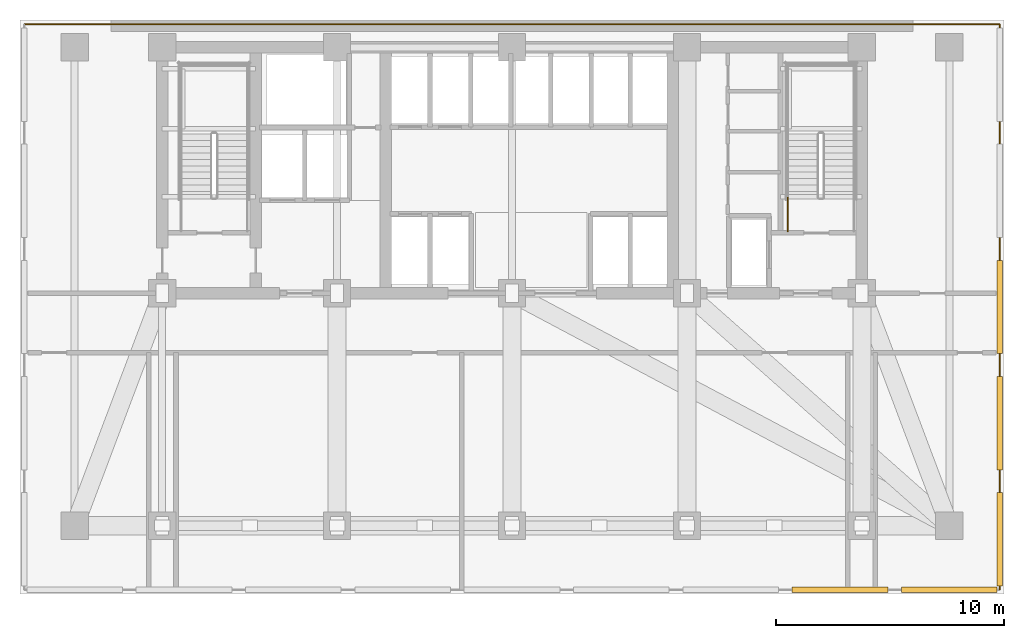
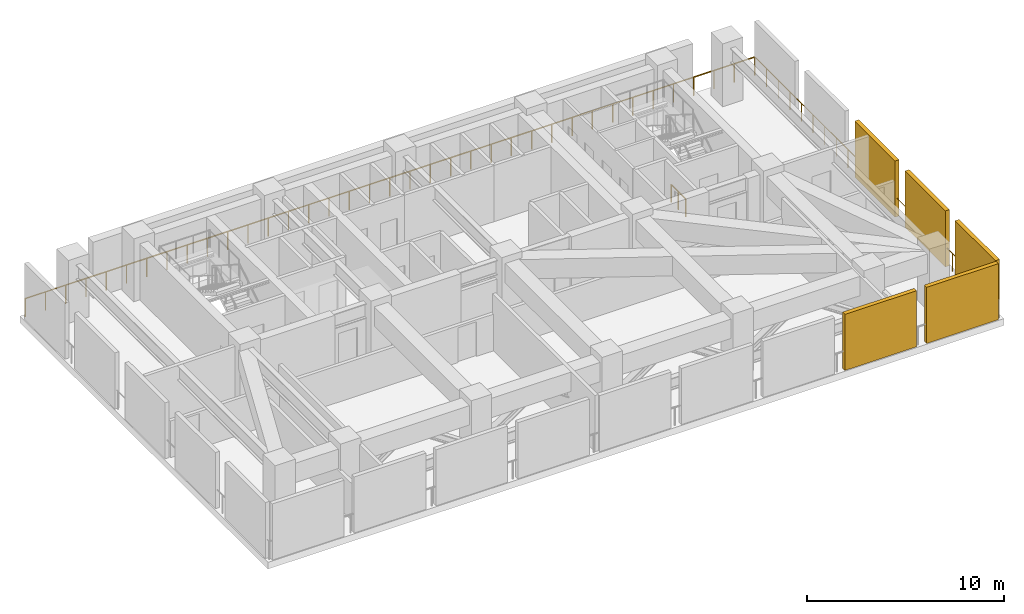
# One storey, part 6 of 7: 5 shading devices, 3 railings.
"""IFC4 building model written with IfcOpenShell, lengths in metres."""

from ifc_helpers import new_model, si_unit, direction, frame, origin, origin_2d, place, context, subcontext, project, spatial, rectangle, circle, extrude, material, layer, layer_set, type_object, element, save


model = new_model("IFC4")

# Units and contexts
model_context = context("Model", 3, precision=1e-05, world=origin(), true_north=direction((0.0, 1.0)))
body_context = subcontext(model_context, "Body", "Model", "MODEL_VIEW")
ifc_project = project(units=[si_unit("LENGTHUNIT", "METRE"), si_unit("AREAUNIT", "SQUARE_METRE"), si_unit("VOLUMEUNIT", "CUBIC_METRE"), si_unit("PLANEANGLEUNIT", "RADIAN"), si_unit("MASSUNIT", "GRAM", prefix="KILO")], contexts=[model_context])

# Site, building, storey
site_placement = place(None, origin())
site = spatial("IfcSite", under=ifc_project, at=site_placement, CompositionType="ELEMENT")
building_placement = place(site_placement, origin())
building = spatial("IfcBuilding", under=site, at=building_placement, Name="Yelkora Congress Tower", CompositionType="ELEMENT")
storey_placement = place(building_placement, frame((0.0, 0.0, 85.800048828125)))
storey = spatial("IfcBuildingStorey", under=building, at=storey_placement, Name="L22", CompositionType="ELEMENT", Elevation=85.800048828125)

# Railings
ifc_material_1 = material(Name="Stainless steel 316L and laminated glass infill", Category="steel")
ifc_layer_1 = layer(ifc_material_1, 0.080078125)
ifc_layer_set_1 = layer_set([ifc_layer_1], Name="Stainless steel 316L and laminated glass infill")
railing_type_1 = type_object("IfcRailingType", Name="RAIL-EXT-GUARD-1150", PredefinedType="GUARDRAIL", material=ifc_layer_set_1)
railing_1_placement = place(storey_placement, frame((59.820068359375, 22.39990234375, 0.0)))
element("IfcRailing", 1, at=railing_1_placement, inside=storey, type_object=railing_type_1, Name="L22 Wind-Floor Perimeter Guardrail E", PredefinedType="GUARDRAIL", context=body_context, shape_type="SweptSolid", body=[
    extrude(circle(Radius=0.02392578125, at=origin_2d()), frame((0.0, 0.0, 1.1259765625), z_axis=(0.0, 1.0, 0.0), x_axis=(-1.0, 0.0, 0.0)), (0.0, 0.0, 1.0), 24.800048828125),
    extrude(circle(Radius=0.02099609375, at=origin_2d()), origin(), (0.0, 0.0, 1.0), 1.101806640625),
    extrude(circle(Radius=0.02099609375, at=origin_2d()), frame((0.0, 1.180908203125, 0.0)), (0.0, 0.0, 1.0), 1.101806640625),
    extrude(circle(Radius=0.02099609375, at=origin_2d()), frame((0.0, 2.36181640625, 0.0)), (0.0, 0.0, 1.0), 1.101806640625),
    extrude(circle(Radius=0.02099609375, at=origin_2d()), frame((0.0, 3.54296875, 0.0)), (0.0, 0.0, 1.0), 1.101806640625),
    extrude(circle(Radius=0.02099609375, at=origin_2d()), frame((0.0, 4.723876953125, 0.0)), (0.0, 0.0, 1.0), 1.101806640625),
    extrude(circle(Radius=0.02099609375, at=origin_2d()), frame((0.0, 5.90478515625, 0.0)), (0.0, 0.0, 1.0), 1.101806640625),
    extrude(circle(Radius=0.02099609375, at=origin_2d()), frame((0.0, 7.085693359375, 0.0)), (0.0, 0.0, 1.0), 1.101806640625),
    extrude(circle(Radius=0.02099609375, at=origin_2d()), frame((0.0, 8.2666015625, 0.0)), (0.0, 0.0, 1.0), 1.101806640625),
    extrude(circle(Radius=0.02099609375, at=origin_2d()), frame((0.0, 9.44775390625, 0.0)), (0.0, 0.0, 1.0), 1.101806640625),
    extrude(circle(Radius=0.02099609375, at=origin_2d()), frame((0.0, 10.628662109375, 0.0)), (0.0, 0.0, 1.0), 1.101806640625),
    extrude(circle(Radius=0.02099609375, at=origin_2d()), frame((0.0, 11.8095703125, 0.0)), (0.0, 0.0, 1.0), 1.101806640625),
    extrude(circle(Radius=0.02099609375, at=origin_2d()), frame((0.0, 12.990478515625, 0.0)), (0.0, 0.0, 1.0), 1.101806640625),
    extrude(circle(Radius=0.02099609375, at=origin_2d()), frame((0.0, 14.17138671875, 0.0)), (0.0, 0.0, 1.0), 1.101806640625),
    extrude(circle(Radius=0.02099609375, at=origin_2d()), frame((0.0, 15.352294921875, 0.0)), (0.0, 0.0, 1.0), 1.101806640625),
    extrude(circle(Radius=0.02099609375, at=origin_2d()), frame((0.0, 16.533447265625, 0.0)), (0.0, 0.0, 1.0), 1.101806640625),
    extrude(circle(Radius=0.02099609375, at=origin_2d()), frame((0.0, 17.71435546875, 0.0)), (0.0, 0.0, 1.0), 1.101806640625),
    extrude(circle(Radius=0.02099609375, at=origin_2d()), frame((0.0, 18.895263671875, 0.0)), (0.0, 0.0, 1.0), 1.101806640625),
    extrude(circle(Radius=0.02099609375, at=origin_2d()), frame((0.0, 20.076171875, 0.0)), (0.0, 0.0, 1.0), 1.101806640625),
    extrude(circle(Radius=0.02099609375, at=origin_2d()), frame((0.0, 21.257080078125, 0.0)), (0.0, 0.0, 1.0), 1.101806640625),
    extrude(circle(Radius=0.02099609375, at=origin_2d()), frame((0.0, 22.438232421875, 0.0)), (0.0, 0.0, 1.0), 1.101806640625),
    extrude(circle(Radius=0.02099609375, at=origin_2d()), frame((0.0, 23.619140625, 0.0)), (0.0, 0.0, 1.0), 1.101806640625),
    extrude(circle(Radius=0.02099609375, at=origin_2d()), frame((0.0, 24.800048828125, 0.0)), (0.0, 0.0, 1.0), 1.101806640625),
])
railing_2_placement = place(storey_placement, frame((17.0, 47.219970703125, 0.0)))
element("IfcRailing", 2, at=railing_2_placement, inside=storey, type_object=railing_type_1, Name="L22 North Perimeter Guardrail", PredefinedType="GUARDRAIL", context=body_context, shape_type="SweptSolid", body=[
    extrude(circle(Radius=0.02392578125, at=origin_2d()), frame((0.0, 0.0, 1.1259765625), z_axis=(1.0, 0.0, 0.0), x_axis=(0.0, 1.0, 0.0)), (0.0, 0.0, 1.0), 42.800048828125),
    extrude(circle(Radius=0.02099609375, at=origin_2d()), origin(), (0.0, 0.0, 1.0), 1.101806640625),
    extrude(circle(Radius=0.02099609375, at=origin_2d()), frame((1.18896484375, 0.0, 0.0)), (0.0, 0.0, 1.0), 1.101806640625),
    extrude(circle(Radius=0.02099609375, at=origin_2d()), frame((2.377685546875, 0.0, 0.0)), (0.0, 0.0, 1.0), 1.101806640625),
    extrude(circle(Radius=0.02099609375, at=origin_2d()), frame((3.566650390625, 0.0, 0.0)), (0.0, 0.0, 1.0), 1.101806640625),
    extrude(circle(Radius=0.02099609375, at=origin_2d()), frame((4.755615234375, 0.0, 0.0)), (0.0, 0.0, 1.0), 1.101806640625),
    extrude(circle(Radius=0.02099609375, at=origin_2d()), frame((5.9443359375, 0.0, 0.0)), (0.0, 0.0, 1.0), 1.101806640625),
    extrude(circle(Radius=0.02099609375, at=origin_2d()), frame((7.13330078125, 0.0, 0.0)), (0.0, 0.0, 1.0), 1.101806640625),
    extrude(circle(Radius=0.02099609375, at=origin_2d()), frame((8.322265625, 0.0, 0.0)), (0.0, 0.0, 1.0), 1.101806640625),
    extrude(circle(Radius=0.02099609375, at=origin_2d()), frame((9.51123046875, 0.0, 0.0)), (0.0, 0.0, 1.0), 1.101806640625),
    extrude(circle(Radius=0.02099609375, at=origin_2d()), frame((10.699951171875, 0.0, 0.0)), (0.0, 0.0, 1.0), 1.101806640625),
    extrude(circle(Radius=0.02099609375, at=origin_2d()), frame((11.888916015625, 0.0, 0.0)), (0.0, 0.0, 1.0), 1.101806640625),
    extrude(circle(Radius=0.02099609375, at=origin_2d()), frame((13.077880859375, 0.0, 0.0)), (0.0, 0.0, 1.0), 1.101806640625),
    extrude(circle(Radius=0.02099609375, at=origin_2d()), frame((14.2666015625, 0.0, 0.0)), (0.0, 0.0, 1.0), 1.101806640625),
    extrude(circle(Radius=0.02099609375, at=origin_2d()), frame((15.45556640625, 0.0, 0.0)), (0.0, 0.0, 1.0), 1.101806640625),
    extrude(circle(Radius=0.02099609375, at=origin_2d()), frame((16.64453125, 0.0, 0.0)), (0.0, 0.0, 1.0), 1.101806640625),
    extrude(circle(Radius=0.02099609375, at=origin_2d()), frame((17.833251953125, 0.0, 0.0)), (0.0, 0.0, 1.0), 1.101806640625),
    extrude(circle(Radius=0.02099609375, at=origin_2d()), frame((19.022216796875, 0.0, 0.0)), (0.0, 0.0, 1.0), 1.101806640625),
    extrude(circle(Radius=0.02099609375, at=origin_2d()), frame((20.211181640625, 0.0, 0.0)), (0.0, 0.0, 1.0), 1.101806640625),
    extrude(circle(Radius=0.02099609375, at=origin_2d()), frame((21.39990234375, 0.0, 0.0)), (0.0, 0.0, 1.0), 1.101806640625),
    extrude(circle(Radius=0.02099609375, at=origin_2d()), frame((22.5888671875, 0.0, 0.0)), (0.0, 0.0, 1.0), 1.101806640625),
    extrude(circle(Radius=0.02099609375, at=origin_2d()), frame((23.77783203125, 0.0, 0.0)), (0.0, 0.0, 1.0), 1.101806640625),
    extrude(circle(Radius=0.02099609375, at=origin_2d()), frame((24.966796875, 0.0, 0.0)), (0.0, 0.0, 1.0), 1.101806640625),
    extrude(circle(Radius=0.02099609375, at=origin_2d()), frame((26.155517578125, 0.0, 0.0)), (0.0, 0.0, 1.0), 1.101806640625),
    extrude(circle(Radius=0.02099609375, at=origin_2d()), frame((27.344482421875, 0.0, 0.0)), (0.0, 0.0, 1.0), 1.101806640625),
    extrude(circle(Radius=0.02099609375, at=origin_2d()), frame((28.533447265625, 0.0, 0.0)), (0.0, 0.0, 1.0), 1.101806640625),
    extrude(circle(Radius=0.02099609375, at=origin_2d()), frame((29.72216796875, 0.0, 0.0)), (0.0, 0.0, 1.0), 1.101806640625),
    extrude(circle(Radius=0.02099609375, at=origin_2d()), frame((30.9111328125, 0.0, 0.0)), (0.0, 0.0, 1.0), 1.101806640625),
    extrude(circle(Radius=0.02099609375, at=origin_2d()), frame((32.10009765625, 0.0, 0.0)), (0.0, 0.0, 1.0), 1.101806640625),
    extrude(circle(Radius=0.02099609375, at=origin_2d()), frame((33.288818359375, 0.0, 0.0)), (0.0, 0.0, 1.0), 1.101806640625),
    extrude(circle(Radius=0.02099609375, at=origin_2d()), frame((34.477783203125, 0.0, 0.0)), (0.0, 0.0, 1.0), 1.101806640625),
    extrude(circle(Radius=0.02099609375, at=origin_2d()), frame((35.666748046875, 0.0, 0.0)), (0.0, 0.0, 1.0), 1.101806640625),
    extrude(circle(Radius=0.02099609375, at=origin_2d()), frame((36.855712890625, 0.0, 0.0)), (0.0, 0.0, 1.0), 1.101806640625),
    extrude(circle(Radius=0.02099609375, at=origin_2d()), frame((38.04443359375, 0.0, 0.0)), (0.0, 0.0, 1.0), 1.101806640625),
    extrude(circle(Radius=0.02099609375, at=origin_2d()), frame((39.2333984375, 0.0, 0.0)), (0.0, 0.0, 1.0), 1.101806640625),
    extrude(circle(Radius=0.02099609375, at=origin_2d()), frame((40.42236328125, 0.0, 0.0)), (0.0, 0.0, 1.0), 1.101806640625),
    extrude(circle(Radius=0.02099609375, at=origin_2d()), frame((41.611083984375, 0.0, 0.0)), (0.0, 0.0, 1.0), 1.101806640625),
    extrude(circle(Radius=0.02099609375, at=origin_2d()), frame((42.800048828125, 0.0, 0.0)), (0.0, 0.0, 1.0), 1.101806640625),
])
ifc_material_2 = material(Name="Painted galvanised steel stair well guard with vertical infill", Category="steel")
ifc_layer_2 = layer(ifc_material_2, 0.06005859375)
ifc_layer_set_2 = layer_set([ifc_layer_2], Name="Painted galvanised steel stair well guard with vertical infill")
railing_type_2 = type_object("IfcRailingType", Name="RAIL-STAIR-GUARD-1120", PredefinedType="GUARDRAIL", material=ifc_layer_set_2)
railing_3_placement = place(storey_placement, frame((50.510009765625, 38.1201171875, 0.0)))
element("IfcRailing", 3, at=railing_3_placement, inside=storey, type_object=railing_type_2, Name="ST-02 L22 Stair Well Guardrail 9", PredefinedType="GUARDRAIL", context=body_context, shape_type="SweptSolid", body=[
    extrude(circle(Radius=0.02392578125, at=origin_2d()), frame((0.0, 0.0, 1.09619140625), z_axis=(0.0, 1.0, 0.0), x_axis=(-1.0, 0.0, 0.0)), (0.0, 0.0, 1.0), 1.47998046875),
    extrude(circle(Radius=0.02099609375, at=origin_2d()), origin(), (0.0, 0.0, 1.0), 1.072021484375),
    extrude(circle(Radius=0.02099609375, at=origin_2d()), frame((0.0, 0.739990234375, 0.0)), (0.0, 0.0, 1.0), 1.072021484375),
    extrude(circle(Radius=0.02099609375, at=origin_2d()), frame((0.0, 1.47998046875, 0.0)), (0.0, 0.0, 1.0), 1.072021484375),
])

# Shading devices
ifc_material_3 = material(Name="Perforated anodised aluminium louvre", Category="aluminium")
ifc_layer_3 = layer(ifc_material_3, 3.39990234375)
ifc_layer_set_3 = layer_set([ifc_layer_3], Name="Perforated anodised aluminium louvre")
shading_device_type = type_object("IfcShadingDeviceType", Name="SHD-LOUVRE-WIND", PredefinedType="JALOUSIE", material=ifc_layer_set_3)
for number, where, z_axis, x_axis, name in (
    (4, (59.820068359375, 24.60009765625, 0.0), (0.0, 0.0, 1.0), (1.0, 0.0, 0.0), "L22 Acoustic Wind-Floor Louvre Screen E1"),
    (5, (59.820068359375, 29.699951171875, 0.0), (0.0, 0.0, 1.0), (1.0, 0.0, 0.0), "L22 Acoustic Wind-Floor Louvre Screen E2"),
    (6, (59.820068359375, 34.800048828125, 0.0), (0.0, 0.0, 1.0), (1.0, 0.0, 0.0), "L22 Acoustic Wind-Floor Louvre Screen E3"),
):
    element("IfcShadingDevice", number, at=place(storey_placement, frame(where, z_axis=z_axis, x_axis=x_axis)), inside=storey, type_object=shading_device_type, Name=name, PredefinedType="JALOUSIE", context=body_context, shape_type="SweptSolid", body=[
        extrude(rectangle(XDim=0.239990234375, YDim=4.10009765625, at=origin_2d()), origin(), (0.0, 0.0, 1.0), 3.47998046875),
    ])
for number, where, z_axis, x_axis, name in (
    (7, (52.800048828125, 22.3798828125, 0.0), (0.0, 0.0, 1.0), (1.0, 0.0, 0.0), "L22 South Blow-Through Wind Louvre 8"),
    (8, (57.60009765625, 22.3798828125, 0.0), (0.0, 0.0, 1.0), (1.0, 0.0, 0.0), "L22 South Blow-Through Wind Louvre 9"),
):
    element("IfcShadingDevice", number, at=place(storey_placement, frame(where, z_axis=z_axis, x_axis=x_axis)), inside=storey, type_object=shading_device_type, Name=name, PredefinedType="JALOUSIE", context=body_context, shape_type="SweptSolid", body=[
        extrude(rectangle(XDim=4.199951171875, YDim=0.239990234375, at=origin_2d()), origin(), (0.0, 0.0, 1.0), 3.47998046875),
    ])

save(model, "model.ifc")
